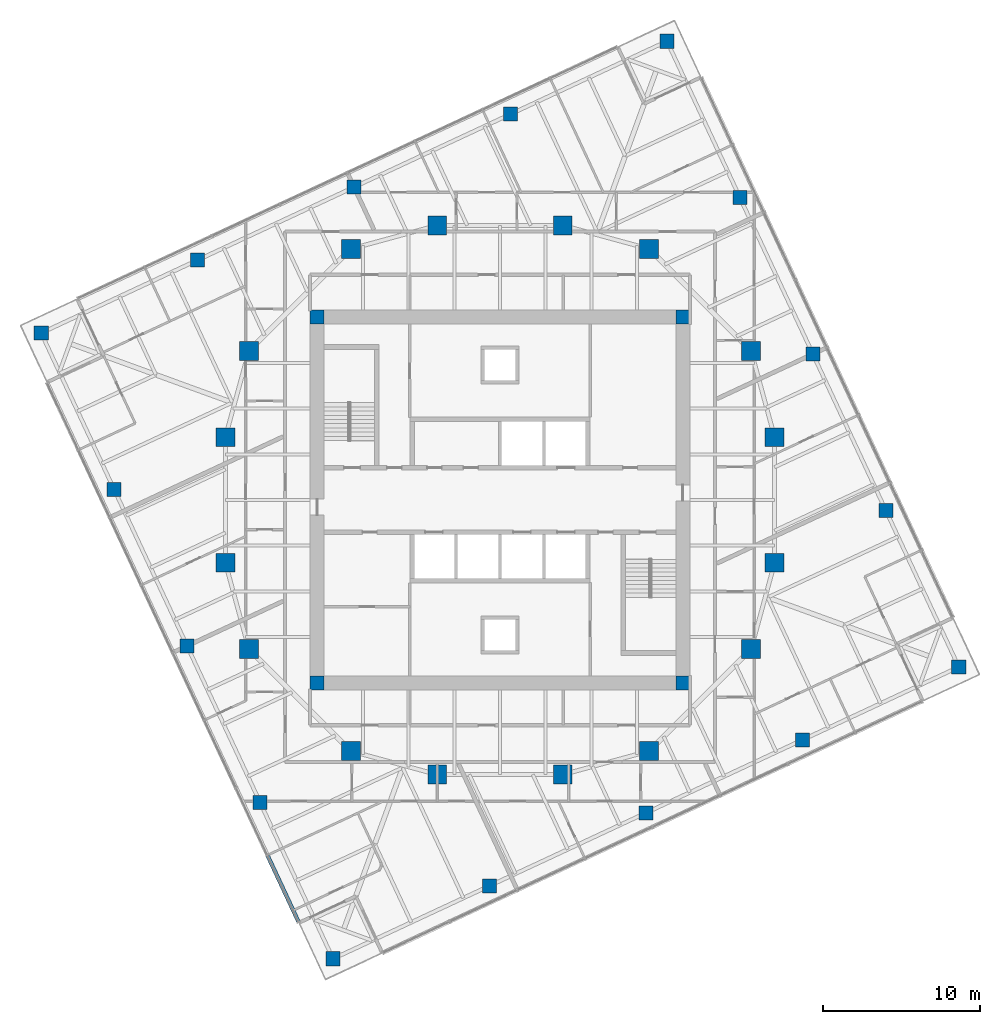
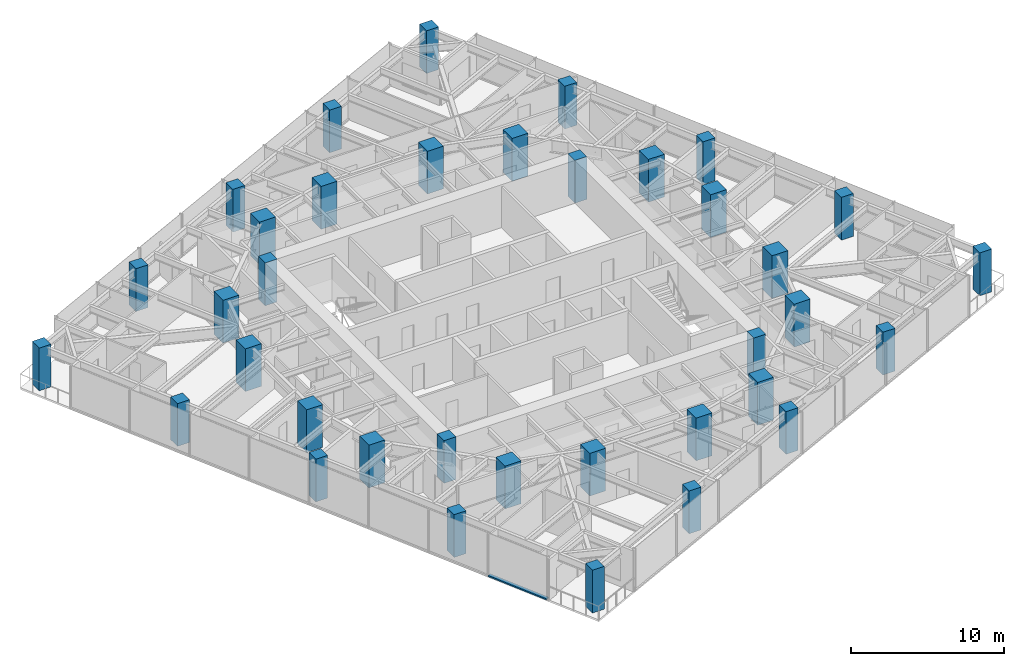
# One storey, part 1 of 12: 36 columns, 1 member, 1 element without a shape of its own.
"""IFC4 building model written with IfcOpenShell, lengths in metres."""

from ifc_helpers import new_model, si_unit, direction, frame, origin, origin_2d, place, context, subcontext, project, spatial, rectangle, extrude, material, material_profile, profile_set, type_object, element, aggregate, save


model = new_model("IFC4")

# Units and contexts
model_context = context("Model", 3, precision=1e-05, world=origin(), true_north=direction((0.0, 1.0)))
body_context = subcontext(model_context, "Body", "Model", "MODEL_VIEW")
ifc_project = project(units=[si_unit("LENGTHUNIT", "METRE"), si_unit("AREAUNIT", "SQUARE_METRE"), si_unit("VOLUMEUNIT", "CUBIC_METRE"), si_unit("PLANEANGLEUNIT", "RADIAN"), si_unit("MASSUNIT", "GRAM", prefix="KILO")], contexts=[model_context])

# Site, building, storey
site_placement = place(None, origin())
site = spatial("IfcSite", under=ifc_project, at=site_placement, CompositionType="ELEMENT")
building_placement = place(site_placement, origin())
building = spatial("IfcBuilding", under=site, at=building_placement, Name="Torsade Residences", CompositionType="ELEMENT")
storey_placement = place(building_placement, frame((0.0, 0.0, 186.199951171875)))
storey = spatial("IfcBuildingStorey", under=building, at=storey_placement, Name="L51", CompositionType="ELEMENT", Elevation=186.199951171875)

# Columns
ifc_material_1 = material(Name="Concrete 80 MPa", Category="concrete")
ifc_material_profile_1 = material_profile(ifc_material_1, rectangle(XDim=0.89990234375, YDim=0.89990234375, at=origin_2d()), Name="RC 900x900")
ifc_profile_set_1 = profile_set([ifc_material_profile_1], Name="Concrete 80 MPa")
column_type_1 = type_object("IfcColumnType", Name="CORE CORNER COLUMN RC 900x900", PredefinedType="COLUMN", material=ifc_profile_set_1)
for number, where, z_axis, x_axis, name in (
    (1, (28.35009765625, 18.35009765625, 0.0), (0.0, 0.0, 1.0), (1.0, 0.0, 0.0), "Core corner column CC1 L51"),
    (2, (51.64990234375, 18.35009765625, 0.0), (0.0, 0.0, 1.0), (1.0, 0.0, 0.0), "Core corner column CC2 L51"),
    (3, (51.64990234375, 41.64990234375, 0.0), (0.0, 0.0, 1.0), (1.0, 0.0, 0.0), "Core corner column CC3 L51"),
    (4, (28.35009765625, 41.64990234375, 0.0), (0.0, 0.0, 1.0), (1.0, 0.0, 0.0), "Core corner column CC4 L51"),
):
    element("IfcColumn", number, at=place(storey_placement, frame(where, z_axis=z_axis, x_axis=x_axis)), inside=storey, type_object=column_type_1, Name=name, PredefinedType="COLUMN", context=body_context, shape_type="SweptSolid", body=[
        extrude(rectangle(XDim=0.89990234375, YDim=0.89990234375, at=origin_2d()), origin(), (0.0, 0.0, 1.0), 3.400146484375),
    ])
ifc_material_2 = material(Name="Concrete 80 MPa", Category="concrete")
ifc_material_profile_2 = material_profile(ifc_material_2, rectangle(XDim=1.199951171875, YDim=1.199951171875, at=origin_2d()), Name="RC 1200x1200")
ifc_profile_set_2 = profile_set([ifc_material_profile_2], Name="Concrete 80 MPa")
column_type_2 = type_object("IfcColumnType", Name="INNER RING COLUMN RC 1200x1200", PredefinedType="COLUMN", material=ifc_profile_set_2)
for number, where, z_axis, x_axis, name in (
    (5, (57.5, 26.0, 0.0), (0.0, 0.0, 1.0), (1.0, 0.0, 0.0), "Inner ring column IR01 L51"),
    (6, (57.5, 34.0, 0.0), (0.0, 0.0, 1.0), (1.0, 0.0, 0.0), "Inner ring column IR02 L51"),
    (7, (56.0, 39.5, 0.0), (0.0, 0.0, 1.0), (1.0, 0.0, 0.0), "Inner ring column IR03 L51"),
    (8, (49.5, 46.0, 0.0), (0.0, 0.0, 1.0), (1.0, 0.0, 0.0), "Inner ring column IR04 L51"),
    (9, (44.0, 47.5, 0.0), (0.0, 0.0, 1.0), (1.0, 0.0, 0.0), "Inner ring column IR05 L51"),
    (10, (36.0, 47.5, 0.0), (0.0, 0.0, 1.0), (1.0, 0.0, 0.0), "Inner ring column IR06 L51"),
    (11, (30.5, 46.0, 0.0), (0.0, 0.0, 1.0), (1.0, 0.0, 0.0), "Inner ring column IR07 L51"),
    (12, (24.0, 39.5, 0.0), (0.0, 0.0, 1.0), (1.0, 0.0, 0.0), "Inner ring column IR08 L51"),
    (13, (22.5, 34.0, 0.0), (0.0, 0.0, 1.0), (1.0, 0.0, 0.0), "Inner ring column IR09 L51"),
    (14, (22.5, 26.0, 0.0), (0.0, 0.0, 1.0), (1.0, 0.0, 0.0), "Inner ring column IR10 L51"),
    (15, (24.0, 20.5, 0.0), (0.0, 0.0, 1.0), (1.0, 0.0, 0.0), "Inner ring column IR11 L51"),
    (16, (30.5, 14.0, 0.0), (0.0, 0.0, 1.0), (1.0, 0.0, 0.0), "Inner ring column IR12 L51"),
    (17, (36.0, 12.5, 0.0), (0.0, 0.0, 1.0), (1.0, 0.0, 0.0), "Inner ring column IR13 L51"),
    (18, (44.0, 12.5, 0.0), (0.0, 0.0, 1.0), (1.0, 0.0, 0.0), "Inner ring column IR14 L51"),
    (19, (49.5, 14.0, 0.0), (0.0, 0.0, 1.0), (1.0, 0.0, 0.0), "Inner ring column IR15 L51"),
    (20, (56.0, 20.5, 0.0), (0.0, 0.0, 1.0), (1.0, 0.0, 0.0), "Inner ring column IR16 L51"),
):
    element("IfcColumn", number, at=place(storey_placement, frame(where, z_axis=z_axis, x_axis=x_axis)), inside=storey, type_object=column_type_2, Name=name, PredefinedType="COLUMN", context=body_context, shape_type="SweptSolid", body=[
        extrude(rectangle(XDim=1.199951171875, YDim=1.199951171875, at=origin_2d()), origin(), (0.0, 0.0, 1.0), 3.400146484375),
    ])
ifc_material_3 = material(Name="Concrete 80 MPa", Category="concrete")
ifc_material_profile_3 = material_profile(ifc_material_3, rectangle(XDim=0.89990234375, YDim=0.89990234375, at=origin_2d()), Name="RC 900x900")
ifc_profile_set_3 = profile_set([ifc_material_profile_3], Name="Concrete 80 MPa")
column_type_3 = type_object("IfcColumnType", Name="TOWER COLUMN RC 900x900", PredefinedType="COLUMN", material=ifc_profile_set_3)
for number, where, z_axis, x_axis, name in (
    (21, (29.35888671875, 0.763671875, 0.0), (0.0, 0.0, 1.0), (1.0, 0.0, 0.0), "Column TC6-01 L51"),
    (22, (39.328125, 5.412353515625, 0.0), (0.0, 0.0, 1.0), (1.0, 0.0, 0.0), "Column TC6-02 L51"),
    (23, (49.297607421875, 10.061279296875, 0.0), (0.0, 0.0, 1.0), (1.0, 0.0, 0.0), "Column TC6-03 L51"),
    (24, (59.26708984375, 14.7099609375, 0.0), (0.0, 0.0, 1.0), (1.0, 0.0, 0.0), "Column TC6-04 L51"),
    (25, (69.236328125, 19.35888671875, 0.0), (0.0, 0.0, 1.0), (1.0, 0.0, 0.0), "Column TC6-05 L51"),
    (26, (64.587646484375, 29.328125, 0.0), (0.0, 0.0, 1.0), (1.0, 0.0, 0.0), "Column TC6-06 L51"),
    (27, (59.938720703125, 39.297607421875, 0.0), (0.0, 0.0, 1.0), (1.0, 0.0, 0.0), "Column TC6-07 L51"),
    (28, (55.2900390625, 49.26708984375, 0.0), (0.0, 0.0, 1.0), (1.0, 0.0, 0.0), "Column TC6-08 L51"),
    (29, (50.64111328125, 59.236328125, 0.0), (0.0, 0.0, 1.0), (1.0, 0.0, 0.0), "Column TC6-09 L51"),
    (30, (40.671875, 54.587646484375, 0.0), (0.0, 0.0, 1.0), (1.0, 0.0, 0.0), "Column TC6-10 L51"),
    (31, (30.702392578125, 49.938720703125, 0.0), (0.0, 0.0, 1.0), (1.0, 0.0, 0.0), "Column TC6-11 L51"),
    (32, (20.73291015625, 45.2900390625, 0.0), (0.0, 0.0, 1.0), (1.0, 0.0, 0.0), "Column TC6-12 L51"),
    (33, (10.763671875, 40.64111328125, 0.0), (0.0, 0.0, 1.0), (1.0, 0.0, 0.0), "Column TC6-13 L51"),
    (34, (15.412353515625, 30.671875, 0.0), (0.0, 0.0, 1.0), (1.0, 0.0, 0.0), "Column TC6-14 L51"),
    (35, (20.061279296875, 20.702392578125, 0.0), (0.0, 0.0, 1.0), (1.0, 0.0, 0.0), "Column TC6-15 L51"),
    (36, (24.7099609375, 10.73291015625, 0.0), (0.0, 0.0, 1.0), (1.0, 0.0, 0.0), "Column TC6-16 L51"),
):
    element("IfcColumn", number, at=place(storey_placement, frame(where, z_axis=z_axis, x_axis=x_axis)), inside=storey, type_object=column_type_3, Name=name, PredefinedType="COLUMN", context=body_context, shape_type="SweptSolid", body=[
        extrude(rectangle(XDim=0.89990234375, YDim=0.89990234375, at=origin_2d()), origin(), (0.0, 0.0, 1.0), 3.400146484375),
    ])

# Curtain wall, member
ifc_material_4 = material(Name="Aluminium and glass", Category="aluminium")
curtain_wall_type = type_object("IfcCurtainWallType", Name="FRITTED GLASS CURTAIN WALL MID ZONE", PredefinedType="NOTDEFINED", material=ifc_material_4)
curtain_wall_placement = place(storey_placement, origin())
curtain_wall = element("IfcCurtainWall", 37, at=curtain_wall_placement, inside=storey, type_object=curtain_wall_type, Name="Curtain wall L51 face 10", PredefinedType="NOTDEFINED")
ifc_material_5 = material(Name="Aluminium transom", Category="aluminium")
ifc_material_profile_4 = material_profile(ifc_material_5, rectangle(XDim=0.25, YDim=0.110107421875, at=origin_2d()), Name="MID ZONE CURTAIN WALL TRANSOM 250x110")
ifc_profile_set_4 = profile_set([ifc_material_profile_4], Name="Aluminium transom")
member_type = type_object("IfcMemberType", Name="MID ZONE CURTAIN WALL TRANSOM 250x110", PredefinedType="USERDEFINED", material=ifc_profile_set_4)
member_placement = place(storey_placement, frame((25.194091796875, 7.32861328125, 0.054931640625), z_axis=(0.422622764878, -0.906305687176, 0.0), x_axis=(0.906305687176, 0.422622764878, 0.0)))
member = element("IfcMember", 38, at=member_placement, type_object=member_type, Name="Transom 8.1", ObjectType="TRANSOM", PredefinedType="USERDEFINED", context=body_context, shape_type="SweptSolid", body=[
    extrude(rectangle(XDim=0.25, YDim=0.110107421875, at=origin_2d()), origin(), (0.0, 0.0, 1.0), 4.630126953125),
])
aggregate(curtain_wall, [member])

save(model, "model.ifc")
